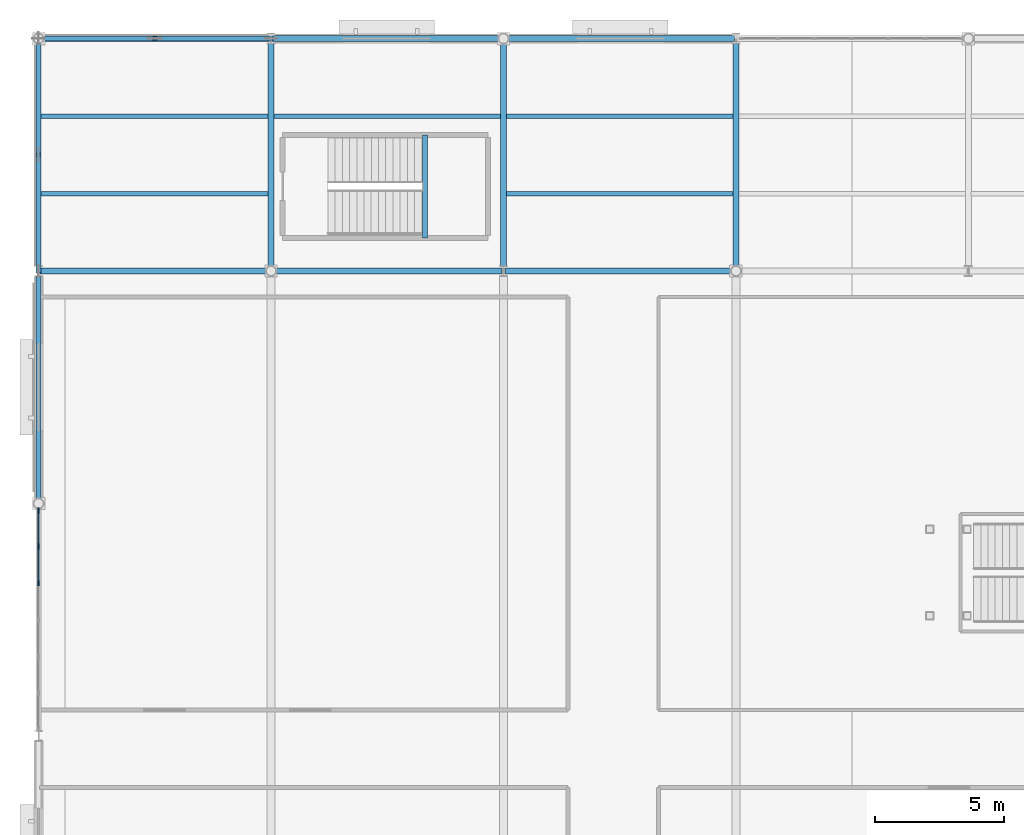
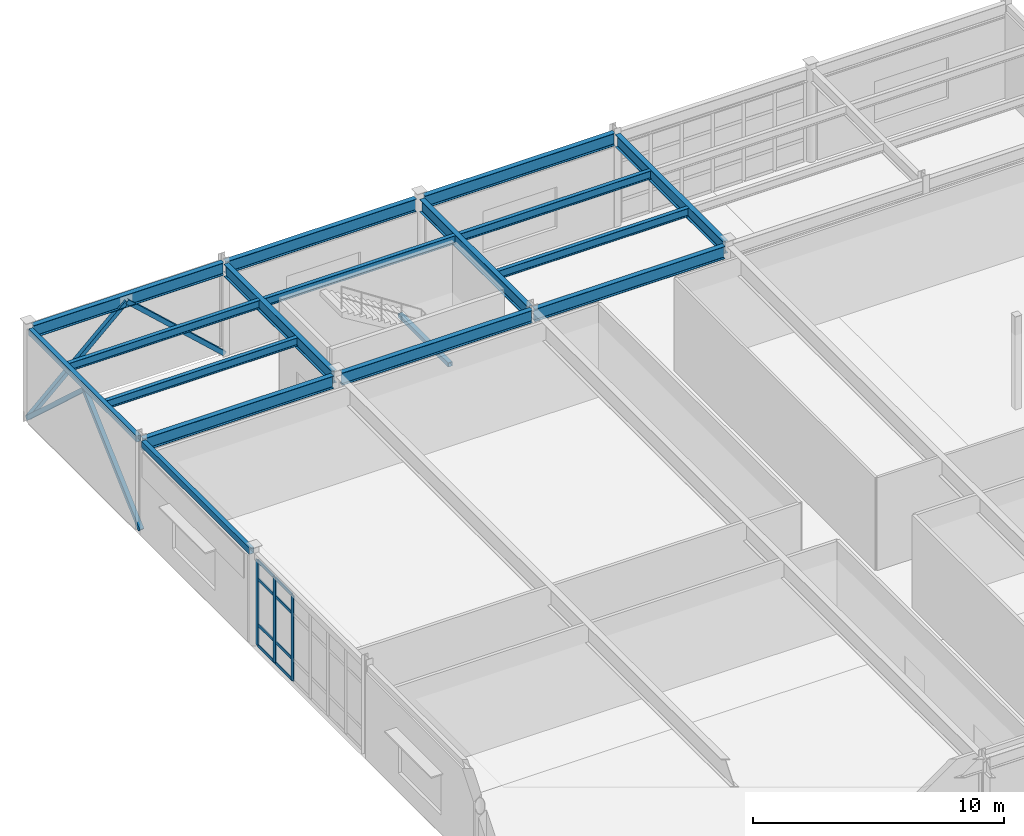
# One storey, part 39 of 84: 17 beams, 15 members, 1 element without a shape of its own.
"""IFC4 building model written with IfcOpenShell, lengths in metres."""

from ifc_helpers import new_model, si_unit, direction, frame, origin, origin_2d, place, context, subcontext, project, spatial, rectangle, hollow_rectangle, i_section, extrude, material, material_profile, profile_set, type_object, element, aggregate, save


model = new_model("IFC4")

# Units and contexts
model_context = context("Model", 3, precision=1e-05, world=origin(), true_north=direction((0.0, 1.0)))
body_context = subcontext(model_context, "Body", "Model", "MODEL_VIEW")
ifc_project = project(units=[si_unit("LENGTHUNIT", "METRE"), si_unit("AREAUNIT", "SQUARE_METRE"), si_unit("VOLUMEUNIT", "CUBIC_METRE"), si_unit("PLANEANGLEUNIT", "RADIAN"), si_unit("MASSUNIT", "GRAM", prefix="KILO")], contexts=[model_context])

# Site, building, storey
site_placement = place(None, origin())
site = spatial("IfcSite", under=ifc_project, at=site_placement, CompositionType="ELEMENT")
building_placement = place(site_placement, origin())
building = spatial("IfcBuilding", under=site, at=building_placement, Name="Glasvene Arena", CompositionType="ELEMENT")
storey_placement = place(building_placement, frame((0.0, 0.0, 10.199951171875)))
storey = spatial("IfcBuildingStorey", under=building, at=storey_placement, Name="L02", CompositionType="ELEMENT", Elevation=10.199951171875)

# Beams
ifc_material_1 = material(Name="Steel S355J2", Category="steel")
ifc_material_profile_1 = material_profile(ifc_material_1, i_section(OverallWidth=0.228271484375, OverallDepth=0.607666015625, WebThickness=0.010986328125, FlangeThickness=0.017333984375, FilletRadius=0.0126953125, at=origin_2d()), Name="UKB 610x229x113")
ifc_profile_set_1 = profile_set([ifc_material_profile_1], Name="Steel S355J2")
beam_type_1 = type_object("IfcBeamType", Name="BM-GIRD-610", PredefinedType="BEAM", material=ifc_profile_set_1)
for number, where, z_axis, x_axis, name in (
    (1, (0.050048828125, 109.0, 4.21630859375), (1.0, 0.0, 0.0), (0.0, 1.0, 0.0), "Primary X girder L02-0819"),
    (2, (9.1982421875, 109.0, 4.21630859375), (1.0, 0.0, 0.0), (0.0, 1.0, 0.0), "Primary X girder L02-0820"),
    (3, (18.050048828125, 109.0, 4.21630859375), (1.0, 0.0, 0.0), (0.0, 1.0, 0.0), "Primary X girder L02-0821"),
    (4, (0.1982421875, 118.0, 4.21630859375), (1.0, 0.0, 0.0), (0.0, 1.0, 0.0), "Primary X girder L02-0824"),
    (5, (9.050048828125, 118.0, 4.21630859375), (1.0, 0.0, 0.0), (0.0, 1.0, 0.0), "Primary X girder L02-0825"),
    (6, (18.1982421875, 118.0, 4.21630859375), (1.0, 0.0, 0.0), (0.0, 1.0, 0.0), "Primary X girder L02-0826"),
):
    element("IfcBeam", number, at=place(storey_placement, frame(where, z_axis=z_axis, x_axis=x_axis)), inside=storey, type_object=beam_type_1, Name=name, PredefinedType="BEAM", context=body_context, shape_type="SweptSolid", body=[
        extrude(i_section(OverallWidth=0.228271484375, OverallDepth=0.607666015625, WebThickness=0.010986328125, FlangeThickness=0.017333984375, FilletRadius=0.0126953125, at=origin_2d()), origin(), (0.0, 0.0, 1.0), 8.751708984375),
    ])
for number, where, z_axis, x_axis, name in (
    (7, (9.0, 109.1982421875, 4.21630859375), (0.0, 1.0, 0.0), (-1.0, 0.0, 0.0), "Primary Y girder L02-0845"),
    (8, (18.0, 109.195068359375, 4.21630859375), (0.0, 1.0, 0.0), (-1.0, 0.0, 0.0), "Primary Y girder L02-0853"),
    (9, (27.0, 109.1982421875, 4.21630859375), (0.0, 1.0, 0.0), (-1.0, 0.0, 0.0), "Primary Y girder L02-0862"),
):
    element("IfcBeam", number, at=place(storey_placement, frame(where, z_axis=z_axis, x_axis=x_axis)), inside=storey, type_object=beam_type_1, Name=name, PredefinedType="BEAM", context=body_context, shape_type="SweptSolid", body=[
        extrude(i_section(OverallWidth=0.228271484375, OverallDepth=0.607666015625, WebThickness=0.010986328125, FlangeThickness=0.017333984375, FilletRadius=0.0126953125, at=origin_2d()), origin(), (0.0, 0.0, 1.0), 8.606689453125),
    ])
ifc_material_profile_2 = material_profile(ifc_material_1, i_section(OverallWidth=0.177978515625, OverallDepth=0.406494140625, WebThickness=0.0078125, FlangeThickness=0.0126953125, FilletRadius=0.01025390625, at=origin_2d()), Name="UKB 406x178x60")
ifc_profile_set_2 = profile_set([ifc_material_profile_2], Name="Steel S355J2")
beam_type_2 = type_object("IfcBeamType", Name="BM-JOIST-406", PredefinedType="JOIST", material=ifc_profile_set_2)
for number, where, z_axis, x_axis, name in (
    (10, (0.095947265625, 112.0, 4.31689453125), (1.0, 0.0, 0.0), (0.0, 1.0, 0.0), "Composite floor joist L02-0891"),
    (11, (0.095947265625, 115.0, 4.31689453125), (1.0, 0.0, 0.0), (0.0, 1.0, 0.0), "Composite floor joist L02-0892"),
):
    element("IfcBeam", number, at=place(storey_placement, frame(where, z_axis=z_axis, x_axis=x_axis)), inside=storey, type_object=beam_type_2, Name=name, PredefinedType="JOIST", context=body_context, shape_type="SweptSolid", body=[
        extrude(i_section(OverallWidth=0.177978515625, OverallDepth=0.406494140625, WebThickness=0.0078125, FlangeThickness=0.0126953125, FilletRadius=0.01025390625, at=origin_2d()), origin(), (0.0, 0.0, 1.0), 8.7939453125),
    ])
for number, where, z_axis, x_axis, name in (
    (12, (9.110107421875, 115.0, 4.31689453125), (1.0, 0.0, 0.0), (0.0, 1.0, 0.0), "Composite floor joist L02-0900"),
    (13, (18.110107421875, 112.0, 4.31689453125), (1.0, 0.0, 0.0), (0.0, 1.0, 0.0), "Composite floor joist L02-0909"),
    (14, (18.110107421875, 115.0, 4.31689453125), (1.0, 0.0, 0.0), (0.0, 1.0, 0.0), "Composite floor joist L02-0910"),
):
    element("IfcBeam", number, at=place(storey_placement, frame(where, z_axis=z_axis, x_axis=x_axis)), inside=storey, type_object=beam_type_2, Name=name, PredefinedType="JOIST", context=body_context, shape_type="SweptSolid", body=[
        extrude(i_section(OverallWidth=0.177978515625, OverallDepth=0.406494140625, WebThickness=0.0078125, FlangeThickness=0.0126953125, FilletRadius=0.01025390625, at=origin_2d()), origin(), (0.0, 0.0, 1.0), 8.77978515625),
    ])
ifc_material_profile_3 = material_profile(ifc_material_1, hollow_rectangle(XDim=0.199951171875, YDim=0.199951171875, WallThickness=0.010009765625, at=origin_2d()), Name="SHS 200x200x10.0")
ifc_profile_set_3 = profile_set([ifc_material_profile_3], Name="Steel S355J2")
beam_type_3 = type_object("IfcBeamType", Name="BM-LINTEL-200", PredefinedType="LINTEL", material=ifc_profile_set_3)
beam_placement = place(storey_placement, frame((14.9599609375, 110.280029296875, 2.080078125), z_axis=(0.0, 1.0, 0.0), x_axis=(-1.0, 0.0, 0.0)))
element("IfcBeam", 15, at=beam_placement, inside=storey, type_object=beam_type_3, Name="Stair half-landing support beam ST-14-L02", PredefinedType="LINTEL", context=body_context, shape_type="SweptSolid", body=[
    extrude(hollow_rectangle(XDim=0.199951171875, YDim=0.199951171875, WallThickness=0.010009765625, at=origin_2d()), origin(), (0.0, 0.0, 1.0), 3.989990234375),
])
ifc_material_profile_4 = material_profile(ifc_material_1, hollow_rectangle(XDim=0.199951171875, YDim=0.300048828125, WallThickness=0.012451171875, at=origin_2d()), Name="RHS 300x200x12.5")
ifc_profile_set_4 = profile_set([ifc_material_profile_4], Name="Steel S355J2")
beam_type_4 = type_object("IfcBeamType", Name="BM-SPAND-300", PredefinedType="SPANDREL", material=ifc_profile_set_4)
for number, where, z_axis, x_axis, name in (
    (16, (0.0, 100.1982421875, 4.3701171875), (0.0, 1.0, 0.0), (-1.0, 0.0, 0.0), "Primary Y girder L02-0837"),
    (17, (0.0, 109.195068359375, 4.3701171875), (0.0, 1.0, 0.0), (-1.0, 0.0, 0.0), "Primary Y girder L02-0838"),
):
    element("IfcBeam", number, at=place(storey_placement, frame(where, z_axis=z_axis, x_axis=x_axis)), inside=storey, type_object=beam_type_4, Name=name, PredefinedType="SPANDREL", context=body_context, shape_type="SweptSolid", body=[
        extrude(hollow_rectangle(XDim=0.199951171875, YDim=0.300048828125, WallThickness=0.012451171875, at=origin_2d()), origin(), (0.0, 0.0, 1.0), 8.606689453125),
    ])

# Curtain wall, members
ifc_material_2 = material(Name="Low-emissivity laminated double glazing", Category="glass")
curtain_wall_type = type_object("IfcCurtainWallType", Name="CW-FAC-L01-851x416", PredefinedType="USERDEFINED", material=ifc_material_2)
curtain_wall_placement = place(storey_placement, frame((0.0, 91.241943359375, 0.0)))
curtain_wall = element("IfcCurtainWall", 18, at=curtain_wall_placement, inside=storey, type_object=curtain_wall_type, Name="Unitised curtain wall CW-F-L02-180-0-955-4", ObjectType="CURTAIN WALL", PredefinedType="USERDEFINED")
ifc_material_3 = material(Name="Anodised architectural aluminium", Category="aluminium")
ifc_material_profile_5 = material_profile(ifc_material_3, rectangle(XDim=0.050048828125, YDim=0.199951171875, at=origin_2d()), Name="ALU MULLION 50x200")
ifc_profile_set_5 = profile_set([ifc_material_profile_5], Name="Anodised architectural aluminium")
member_type_1 = type_object("IfcMemberType", Name="CW-MUL-180", PredefinedType="MULLION", material=ifc_profile_set_5)
member_1_placement = place(storey_placement, frame((0.0, 96.917236328125, 0.06005859375), z_axis=(0.0, 0.0, 1.0), x_axis=(-1.0, 0.0, 0.0)))
member_1 = element("IfcMember", 19, at=member_1_placement, type_object=member_type_1, Name="CW-016 mullion 5", PredefinedType="MULLION", context=body_context, shape_type="SweptSolid", body=[
    extrude(rectangle(XDim=0.050048828125, YDim=0.199951171875, at=origin_2d()), origin(), (0.0, 0.0, 1.0), 4.155029296875),
])
member_2_placement = place(storey_placement, frame((0.0, 98.3359375, 0.06005859375), z_axis=(0.0, 0.0, 1.0), x_axis=(-1.0, 0.0, 0.0)))
member_2 = element("IfcMember", 20, at=member_2_placement, type_object=member_type_1, Name="CW-016 mullion 6", PredefinedType="MULLION", context=body_context, shape_type="SweptSolid", body=[
    extrude(rectangle(XDim=0.050048828125, YDim=0.199951171875, at=origin_2d()), origin(), (0.0, 0.0, 1.0), 4.155029296875),
])
member_3_placement = place(storey_placement, frame((0.0, 99.729736328125, 0.06005859375), z_axis=(0.0, 0.0, 1.0), x_axis=(-1.0, 0.0, 0.0)))
member_3 = element("IfcMember", 21, at=member_3_placement, type_object=member_type_1, Name="CW-016 mullion 7", PredefinedType="MULLION", context=body_context, shape_type="SweptSolid", body=[
    extrude(rectangle(XDim=0.050048828125, YDim=0.199951171875, at=origin_2d()), origin(), (0.0, 0.0, 1.0), 4.155029296875),
])
ifc_material_profile_6 = material_profile(ifc_material_3, rectangle(XDim=0.050048828125, YDim=0.14990234375, at=origin_2d()), Name="ALU TRANSOM 50x150")
ifc_profile_set_6 = profile_set([ifc_material_profile_6], Name="Anodised architectural aluminium")
member_type_2 = type_object("IfcMemberType", Name="CW-TRN-150", PredefinedType="USERDEFINED", material=ifc_profile_set_6)
member_4_placement = place(storey_placement, frame((0.0, 96.942138671875, 0.0849609375), z_axis=(0.0, 1.0, 0.0), x_axis=(-1.0, 0.0, 0.0)))
member_4 = element("IfcMember", 22, at=member_4_placement, type_object=member_type_2, Name="CW-016 transom 5.1", ObjectType="TRANSOM", PredefinedType="USERDEFINED", context=body_context, shape_type="SweptSolid", body=[
    extrude(rectangle(XDim=0.050048828125, YDim=0.14990234375, at=origin_2d()), origin(), (0.0, 0.0, 1.0), 1.368896484375),
])
member_5_placement = place(storey_placement, frame((0.0, 96.942138671875, 1.10009765625), z_axis=(0.0, 1.0, 0.0), x_axis=(-1.0, 0.0, 0.0)))
member_5 = element("IfcMember", 23, at=member_5_placement, type_object=member_type_2, Name="CW-016 transom 5.2", ObjectType="TRANSOM", PredefinedType="USERDEFINED", context=body_context, shape_type="SweptSolid", body=[
    extrude(rectangle(XDim=0.050048828125, YDim=0.14990234375, at=origin_2d()), origin(), (0.0, 0.0, 1.0), 1.368896484375),
])
member_6_placement = place(storey_placement, frame((0.0, 96.942138671875, 3.31494140625), z_axis=(0.0, 1.0, 0.0), x_axis=(-1.0, 0.0, 0.0)))
member_6 = element("IfcMember", 24, at=member_6_placement, type_object=member_type_2, Name="CW-016 transom 5.3", ObjectType="TRANSOM", PredefinedType="USERDEFINED", context=body_context, shape_type="SweptSolid", body=[
    extrude(rectangle(XDim=0.050048828125, YDim=0.14990234375, at=origin_2d()), origin(), (0.0, 0.0, 1.0), 1.368896484375),
])
member_7_placement = place(storey_placement, frame((0.0, 96.942138671875, 4.18994140625), z_axis=(0.0, 1.0, 0.0), x_axis=(-1.0, 0.0, 0.0)))
member_7 = element("IfcMember", 25, at=member_7_placement, type_object=member_type_2, Name="CW-016 transom 5.4", ObjectType="TRANSOM", PredefinedType="USERDEFINED", context=body_context, shape_type="SweptSolid", body=[
    extrude(rectangle(XDim=0.050048828125, YDim=0.14990234375, at=origin_2d()), origin(), (0.0, 0.0, 1.0), 1.368896484375),
])
member_8_placement = place(storey_placement, frame((0.0, 98.361083984375, 0.0849609375), z_axis=(0.0, 1.0, 0.0), x_axis=(-1.0, 0.0, 0.0)))
member_8 = element("IfcMember", 26, at=member_8_placement, type_object=member_type_2, Name="CW-016 transom 6.1", ObjectType="TRANSOM", PredefinedType="USERDEFINED", context=body_context, shape_type="SweptSolid", body=[
    extrude(rectangle(XDim=0.050048828125, YDim=0.14990234375, at=origin_2d()), origin(), (0.0, 0.0, 1.0), 1.34375),
])
member_9_placement = place(storey_placement, frame((0.0, 98.361083984375, 1.10009765625), z_axis=(0.0, 1.0, 0.0), x_axis=(-1.0, 0.0, 0.0)))
member_9 = element("IfcMember", 27, at=member_9_placement, type_object=member_type_2, Name="CW-016 transom 6.2", ObjectType="TRANSOM", PredefinedType="USERDEFINED", context=body_context, shape_type="SweptSolid", body=[
    extrude(rectangle(XDim=0.050048828125, YDim=0.14990234375, at=origin_2d()), origin(), (0.0, 0.0, 1.0), 1.34375),
])
member_10_placement = place(storey_placement, frame((0.0, 98.361083984375, 3.31494140625), z_axis=(0.0, 1.0, 0.0), x_axis=(-1.0, 0.0, 0.0)))
member_10 = element("IfcMember", 28, at=member_10_placement, type_object=member_type_2, Name="CW-016 transom 6.3", ObjectType="TRANSOM", PredefinedType="USERDEFINED", context=body_context, shape_type="SweptSolid", body=[
    extrude(rectangle(XDim=0.050048828125, YDim=0.14990234375, at=origin_2d()), origin(), (0.0, 0.0, 1.0), 1.34375),
])
member_11_placement = place(storey_placement, frame((0.0, 98.361083984375, 4.18994140625), z_axis=(0.0, 1.0, 0.0), x_axis=(-1.0, 0.0, 0.0)))
member_11 = element("IfcMember", 29, at=member_11_placement, type_object=member_type_2, Name="CW-016 transom 6.4", ObjectType="TRANSOM", PredefinedType="USERDEFINED", context=body_context, shape_type="SweptSolid", body=[
    extrude(rectangle(XDim=0.050048828125, YDim=0.14990234375, at=origin_2d()), origin(), (0.0, 0.0, 1.0), 1.34375),
])
aggregate(curtain_wall, [member_1, member_2, member_3, member_4, member_5, member_6, member_7, member_8, member_9, member_10, member_11])

# Members
ifc_material_profile_7 = material_profile(ifc_material_1, hollow_rectangle(XDim=0.199951171875, YDim=0.199951171875, WallThickness=0.010009765625, at=origin_2d()), Name="SHS 200x200x10.0")
ifc_profile_set_7 = profile_set([ifc_material_profile_7], Name="Steel S355J2")
member_type_3 = type_object("IfcMemberType", Name="MB-BRACE-SHS200", PredefinedType="BRACE", material=ifc_profile_set_7)
for number, where, z_axis, x_axis, name in (
    (30, (0.0, 109.0, 0.050048828125), (0.0, 0.737552649854, 0.675289633189), (-1.0, 0.0, 0.0), "Perimeter lateral chevron brace L02-021-A"),
    (31, (0.0, 118.0, 0.050048828125), (0.0, -0.737552649854, 0.675289633189), (1.0, 0.0, 0.0), "Perimeter lateral chevron brace L02-022-B"),
    (32, (0.0, 118.0, 0.050048828125), (0.737552649854, 0.0, 0.675289633189), (0.0, 1.0, 0.0), "Perimeter lateral chevron brace L02-029-A"),
    (33, (9.0, 118.0, 0.050048828125), (-0.737552649854, 0.0, 0.675289633189), (0.0, -1.0, 0.0), "Perimeter lateral chevron brace L02-030-B"),
):
    element("IfcMember", number, at=place(storey_placement, frame(where, z_axis=z_axis, x_axis=x_axis)), inside=storey, type_object=member_type_3, Name=name, PredefinedType="BRACE", context=body_context, shape_type="SweptSolid", body=[
        extrude(hollow_rectangle(XDim=0.199951171875, YDim=0.199951171875, WallThickness=0.010009765625, at=origin_2d()), origin(), (0.0, 0.0, 1.0), 6.101318359375),
    ])

save(model, "model.ifc")
